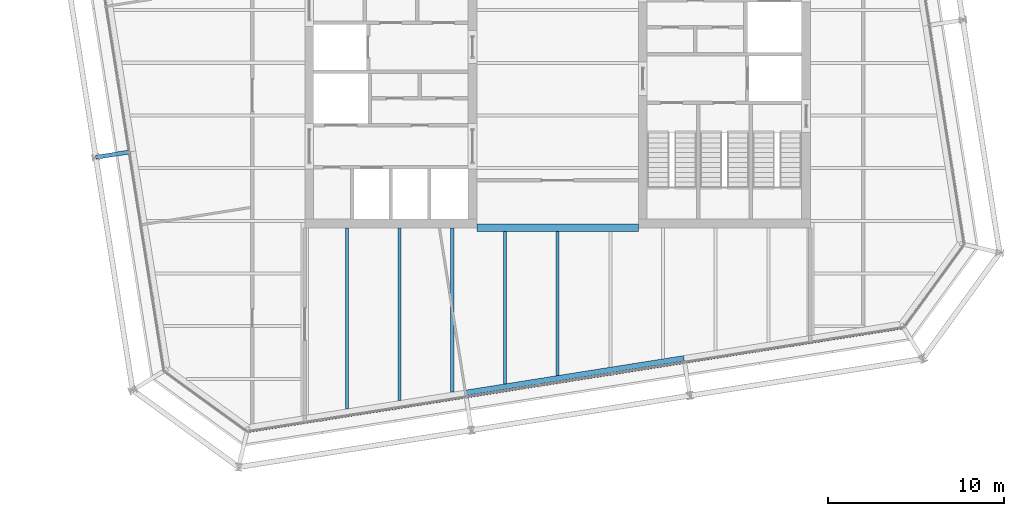
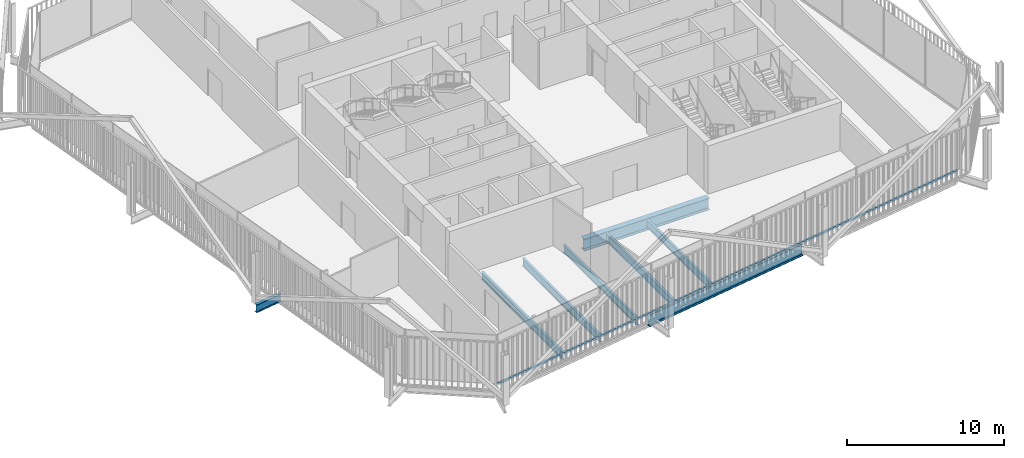
# One storey, part 4 of 21: 8 beams, 1 member, 1 element without a shape of its own.
"""IFC4 building model written with IfcOpenShell, lengths in metres."""

from ifc_helpers import new_model, si_unit, direction, frame, origin, origin_2d, place, context, subcontext, project, spatial, rectangle, i_section, extrude, material, layer, layer_set, material_profile, profile_set, type_object, element, aggregate, save


model = new_model("IFC4")

# Units and contexts
model_context = context("Model", 3, precision=1e-05, world=origin(), true_north=direction((0.0, 1.0)))
body_context = subcontext(model_context, "Body", "Model", "MODEL_VIEW")
ifc_project = project(units=[si_unit("LENGTHUNIT", "METRE"), si_unit("AREAUNIT", "SQUARE_METRE"), si_unit("VOLUMEUNIT", "CUBIC_METRE"), si_unit("PLANEANGLEUNIT", "RADIAN"), si_unit("MASSUNIT", "GRAM", prefix="KILO")], contexts=[model_context])

# Site, building, storey
site_placement = place(None, origin())
site = spatial("IfcSite", under=ifc_project, at=site_placement, CompositionType="ELEMENT")
building_placement = place(site_placement, origin())
building = spatial("IfcBuilding", under=site, at=building_placement, Name="Millrace Tower", CompositionType="ELEMENT")
storey_placement = place(building_placement, frame((0.0, 0.0, 212.5)))
storey = spatial("IfcBuildingStorey", under=building, at=storey_placement, Name="L48", CompositionType="ELEMENT", Elevation=212.5)

# Curtain wall, member
ifc_material_1 = material(Name="Aluminium and glass", Category="aluminium")
ifc_layer = layer(ifc_material_1, 0.14990234375)
ifc_layer_set = layer_set([ifc_layer], Name="Aluminium and glass")
curtain_wall_type = type_object("IfcCurtainWallType", Name="CW-1 office vision curtain wall", PredefinedType="NOTDEFINED", material=ifc_layer_set)
curtain_wall_placement = place(storey_placement, origin())
curtain_wall = element("IfcCurtainWall", 1, at=curtain_wall_placement, inside=storey, type_object=curtain_wall_type, Name="Curtain wall D-F02 L48", PredefinedType="NOTDEFINED")
ifc_material_2 = material(Name="Aluminium", Category="aluminium")
ifc_material_profile_1 = material_profile(ifc_material_2, rectangle(XDim=0.14990234375, YDim=0.139892578125, at=origin_2d()))
ifc_profile_set_1 = profile_set([ifc_material_profile_1], Name="Aluminium")
member_type = type_object("IfcMemberType", Name="CW-1 office vision curtain wall transom", PredefinedType="USERDEFINED", material=ifc_profile_set_1)
member_placement = place(storey_placement, frame((-17.558837890625, -20.98193359375, 0.070068359375), z_axis=(0.987687829698, 0.156437690685, 0.0), x_axis=(-0.156437690685, 0.987687829698, 0.0)))
member = element("IfcMember", 2, at=member_placement, type_object=member_type, Name="CW1 transom D-F02.1", ObjectType="TRANSOM", PredefinedType="USERDEFINED", context=body_context, shape_type="SweptSolid", body=[
    extrude(rectangle(XDim=0.14990234375, YDim=0.139892578125, at=origin_2d()), origin(), (0.0, 0.0, 1.0), 37.60009765625),
])
aggregate(curtain_wall, [member])

# Beams
ifc_material_3 = material(Name="Steel ASTM A992 Grade 50", Category="steel")
ifc_material_profile_2 = material_profile(ifc_material_3, i_section(OverallWidth=0.177978515625, OverallDepth=0.599365234375, WebThickness=0.010009765625, FlangeThickness=0.012939453125, FilletRadius=0.012939453125, at=origin_2d()))
ifc_profile_set_2 = profile_set([ifc_material_profile_2], Name="Steel ASTM A992 Grade 50")
beam_type_1 = type_object("IfcBeamType", Name="Floor beam W24x55", PredefinedType="JOIST", material=ifc_profile_set_2)
beam_1_placement = place(storey_placement, frame((-9.0, -19.2392578125, -0.459716796875), z_axis=(0.0, 1.0, 0.0), x_axis=(-1.0, 0.0, 0.0)))
element("IfcBeam", 3, at=beam_1_placement, inside=storey, type_object=beam_type_1, Name="BM-D-L48-S1-S039", PredefinedType="JOIST", context=body_context, shape_type="SweptSolid", body=[
    extrude(i_section(OverallWidth=0.177978515625, OverallDepth=0.599365234375, WebThickness=0.010009765625, FlangeThickness=0.012939453125, FilletRadius=0.012939453125, at=origin_2d()), origin(), (0.0, 0.0, 1.0), 9.83935546875),
])
beam_2_placement = place(storey_placement, frame((-6.0, -18.763916015625, -0.459716796875), z_axis=(0.0, 1.0, 0.0), x_axis=(-1.0, 0.0, 0.0)))
element("IfcBeam", 4, at=beam_2_placement, inside=storey, type_object=beam_type_1, Name="BM-D-L48-S1-S041", PredefinedType="JOIST", context=body_context, shape_type="SweptSolid", body=[
    extrude(i_section(OverallWidth=0.177978515625, OverallDepth=0.599365234375, WebThickness=0.010009765625, FlangeThickness=0.012939453125, FilletRadius=0.012939453125, at=origin_2d()), origin(), (0.0, 0.0, 1.0), 9.364013671875),
])
beam_3_placement = place(storey_placement, frame((-3.0, -18.288818359375, -0.459716796875), z_axis=(0.0, 1.0, 0.0), x_axis=(-1.0, 0.0, 0.0)))
element("IfcBeam", 5, at=beam_3_placement, inside=storey, type_object=beam_type_1, Name="BM-D-L48-S1-S043", PredefinedType="JOIST", context=body_context, shape_type="SweptSolid", body=[
    extrude(i_section(OverallWidth=0.177978515625, OverallDepth=0.599365234375, WebThickness=0.010009765625, FlangeThickness=0.012939453125, FilletRadius=0.012939453125, at=origin_2d()), origin(), (0.0, 0.0, 1.0), 8.67919921875),
])
beam_4_placement = place(storey_placement, frame((0.0, -17.813720703125, -0.459716796875), z_axis=(0.0, 1.0, 0.0), x_axis=(-1.0, 0.0, 0.0)))
element("IfcBeam", 6, at=beam_4_placement, inside=storey, type_object=beam_type_1, Name="BM-D-L48-S1-S045", PredefinedType="JOIST", context=body_context, shape_type="SweptSolid", body=[
    extrude(i_section(OverallWidth=0.177978515625, OverallDepth=0.599365234375, WebThickness=0.010009765625, FlangeThickness=0.012939453125, FilletRadius=0.012939453125, at=origin_2d()), origin(), (0.0, 0.0, 1.0), 8.2041015625),
])
ifc_material_4 = material(Name="Steel ASTM A992 Grade 50", Category="steel")
ifc_material_profile_3 = material_profile(ifc_material_4, i_section(OverallWidth=0.1787109375, OverallDepth=0.60205078125, WebThickness=0.010986328125, FlangeThickness=0.014892578125, FilletRadius=0.0126953125, at=origin_2d()))
ifc_profile_set_3 = profile_set([ifc_material_profile_3], Name="Steel ASTM A992 Grade 50")
beam_type_2 = type_object("IfcBeamType", Name="Floor beam W24x62", PredefinedType="JOIST", material=ifc_profile_set_3)
beam_5_placement = place(storey_placement, frame((-12.0, -19.71435546875, -0.4609375), z_axis=(0.0, 1.0, 0.0), x_axis=(-1.0, 0.0, 0.0)))
element("IfcBeam", 7, at=beam_5_placement, inside=storey, type_object=beam_type_2, Name="BM-D-L48-S1-S037", PredefinedType="JOIST", context=body_context, shape_type="SweptSolid", body=[
    extrude(i_section(OverallWidth=0.1787109375, OverallDepth=0.60205078125, WebThickness=0.010986328125, FlangeThickness=0.014892578125, FilletRadius=0.0126953125, at=origin_2d()), origin(), (0.0, 0.0, 1.0), 10.314453125),
])
ifc_material_5 = material(Name="Steel ASTM A992 Grade 50", Category="steel")
ifc_material_profile_4 = material_profile(ifc_material_5, i_section(OverallWidth=0.419189453125, OverallDepth=0.927001953125, WebThickness=0.019287109375, FlangeThickness=0.031982421875, FilletRadius=0.024169921875, at=origin_2d()))
ifc_profile_set_4 = profile_set([ifc_material_profile_4], Name="Steel ASTM A992 Grade 50")
beam_type_3 = type_object("IfcBeamType", Name="Girder short span W36x231", PredefinedType="BEAM", material=ifc_profile_set_4)
beam_6_placement = place(storey_placement, frame((-4.60009765625, -9.39990234375, -0.62353515625), z_axis=(1.0, 0.0, 0.0), x_axis=(0.0, 1.0, 0.0)))
element("IfcBeam", 8, at=beam_6_placement, inside=storey, type_object=beam_type_3, Name="BM-D-L48-S1-G059", PredefinedType="BEAM", context=body_context, shape_type="SweptSolid", body=[
    extrude(i_section(OverallWidth=0.419189453125, OverallDepth=0.927001953125, WebThickness=0.019287109375, FlangeThickness=0.031982421875, FilletRadius=0.024169921875, at=origin_2d()), origin(), (0.0, 0.0, 1.0), 9.2001953125),
])
ifc_material_6 = material(Name="Steel ASTM A992 Grade 50", Category="steel")
ifc_material_profile_5 = material_profile(ifc_material_6, i_section(OverallWidth=0.23046875, OverallDepth=0.6171875, WebThickness=0.01318359375, FlangeThickness=0.022216796875, FilletRadius=0.012939453125, at=origin_2d()))
ifc_profile_set_5 = profile_set([ifc_material_profile_5], Name="Steel ASTM A992 Grade 50")
beam_type_4 = type_object("IfcBeamType", Name="Link beam W24x94", PredefinedType="BEAM", material=ifc_profile_set_5)
beam_7_placement = place(storey_placement, frame((-24.331298828125, -5.0703125, -0.468505859375), z_axis=(-0.987678691416, -0.156495375404, 0.0), x_axis=(0.156495375404, -0.987678691416, 0.0)))
element("IfcBeam", 9, at=beam_7_placement, inside=storey, type_object=beam_type_4, Name="LNK-D-L48-S1-02", PredefinedType="BEAM", context=body_context, shape_type="SweptSolid", body=[
    extrude(i_section(OverallWidth=0.23046875, OverallDepth=0.6171875, WebThickness=0.01318359375, FlangeThickness=0.022216796875, FilletRadius=0.012939453125, at=origin_2d()), origin(), (0.0, 0.0, 1.0), 2.0),
])
ifc_material_7 = material(Name="Steel ASTM A992 Grade 50", Category="steel")
ifc_material_profile_6 = material_profile(ifc_material_7, i_section(OverallWidth=0.307373046875, OverallDepth=0.927001953125, WebThickness=0.01953125, FlangeThickness=0.031982421875, FilletRadius=0.01904296875, at=origin_2d()))
ifc_profile_set_6 = profile_set([ifc_material_profile_6], Name="Steel ASTM A992 Grade 50")
beam_type_5 = type_object("IfcBeamType", Name="Ring beam medium span W36x194", PredefinedType="SPANDREL", material=ifc_profile_set_6)
beam_8_placement = place(storey_placement, frame((7.1962890625, -16.82958984375, -0.62353515625), z_axis=(-0.987689802912, -0.156425232058, 0.0), x_axis=(0.156425232058, -0.987689802912, 0.0)))
element("IfcBeam", 10, at=beam_8_placement, inside=storey, type_object=beam_type_5, Name="RNG-D-L48-S1-14", PredefinedType="SPANDREL", context=body_context, shape_type="SweptSolid", body=[
    extrude(i_section(OverallWidth=0.307373046875, OverallDepth=0.927001953125, WebThickness=0.01953125, FlangeThickness=0.031982421875, FilletRadius=0.01904296875, at=origin_2d()), origin(), (0.0, 0.0, 1.0), 12.599853515625),
])

save(model, "model.ifc")
